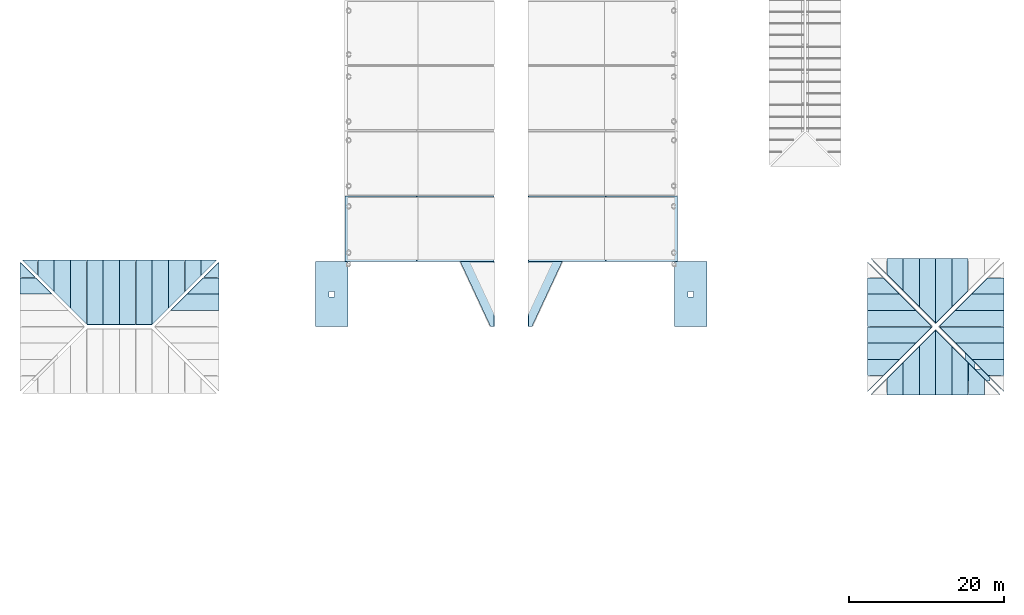
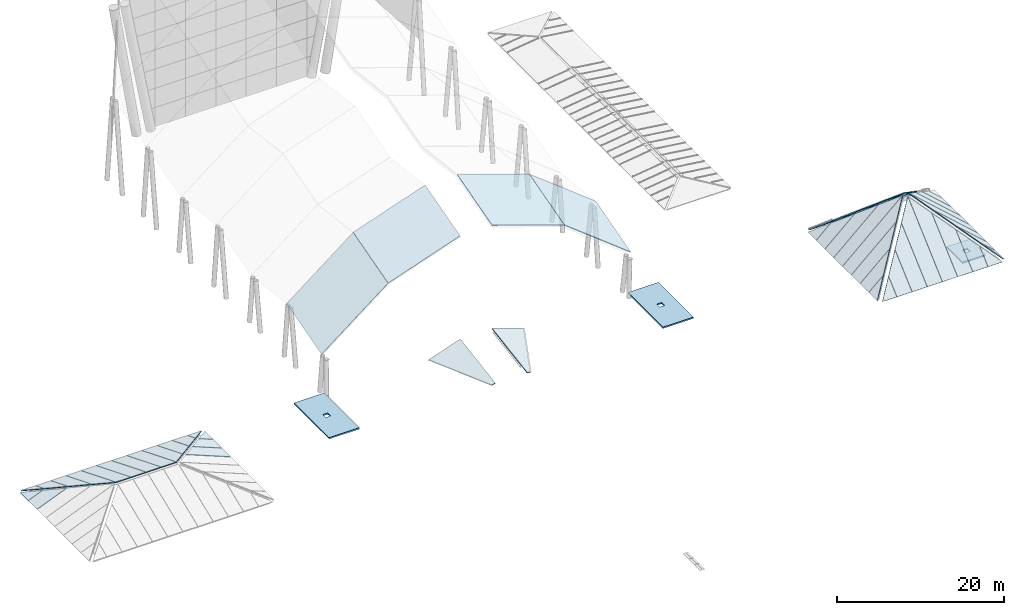
# One storey, part 2 of 8: 55 slabs.
"""IFC4 building model written with IfcOpenShell, lengths in metres."""

from ifc_helpers import new_model, si_unit, direction, frame, origin, place, context, subcontext, project, spatial, polyline, outline, extrude, material, layer, layer_set, type_object, element, save


model = new_model("IFC4")

# Units and contexts
model_context = context("Model", 3, precision=1e-05, world=origin(), true_north=direction((0.0, 1.0)))
body_context = subcontext(model_context, "Body", "Model", "MODEL_VIEW")
ifc_project = project(units=[si_unit("LENGTHUNIT", "METRE"), si_unit("AREAUNIT", "SQUARE_METRE"), si_unit("VOLUMEUNIT", "CUBIC_METRE"), si_unit("PLANEANGLEUNIT", "RADIAN"), si_unit("MASSUNIT", "GRAM", prefix="KILO")], contexts=[model_context])

# Site, building, storey
site_placement = place(None, origin())
site = spatial("IfcSite", under=ifc_project, at=site_placement, CompositionType="ELEMENT")
building_placement = place(site_placement, origin())
building = spatial("IfcBuilding", under=site, at=building_placement, Name="Sava Quay Ferry Terminal", CompositionType="ELEMENT")
storey_placement = place(building_placement, frame((0.0, 0.0, 18.0)))
storey = spatial("IfcBuildingStorey", under=building, at=storey_placement, Name="ROOF", CompositionType="ELEMENT", Elevation=18.0)

# Slabs
ifc_material_1 = material(Name="Concrete C35/45", Category="concrete")
ifc_layer_1 = layer(ifc_material_1, 0.199951171875)
ifc_layer_set_1 = layer_set([ifc_layer_1], Name="Concrete C35/45")
slab_type_1 = type_object("IfcSlabType", Name="RC core roof slab 200", PredefinedType="ROOF", material=ifc_layer_set_1)
slab_1_placement = place(storey_placement, origin())
element("IfcSlab", 1, at=slab_1_placement, inside=storey, type_object=slab_type_1, Name="Core roof slab ST-P1", PredefinedType="ROOF", context=body_context, shape_type="SweptSolid", body=[
    extrude(outline(polyline([(84.0, 42.0), (88.199951171875, 42.0), (88.199951171875, 50.39990234375), (84.0, 50.39990234375), (84.0, 42.0)]), holes=[polyline([(85.75, 45.85009765625), (86.449951171875, 45.85009765625), (86.449951171875, 46.550048828125), (85.75, 46.550048828125), (85.75, 45.85009765625)])]), origin(), (0.0, 0.0, 1.0), 0.199951171875),
])
slab_2_placement = place(storey_placement, origin())
element("IfcSlab", 2, at=slab_2_placement, inside=storey, type_object=slab_type_1, Name="Core roof slab ST-W2", PredefinedType="ROOF", context=body_context, shape_type="SweptSolid", body=[
    extrude(outline(polyline([(37.800048828125, 42.0), (42.0, 42.0), (42.0, 50.39990234375), (37.800048828125, 50.39990234375), (37.800048828125, 42.0)]), holes=[polyline([(39.550048828125, 45.85009765625), (40.25, 45.85009765625), (40.25, 46.550048828125), (39.550048828125, 46.550048828125), (39.550048828125, 45.85009765625)])]), origin(), (0.0, 0.0, 1.0), 0.199951171875),
])
slab_3_placement = place(storey_placement, frame((0.0, 0.0, 0.6298828125)))
element("IfcSlab", 3, at=slab_3_placement, inside=storey, type_object=slab_type_1, Name="Core roof slab LF-P2", PredefinedType="ROOF", context=body_context, shape_type="SweptSolid", body=[
    extrude(outline(polyline([(121.39990234375, 35.0), (124.60009765625, 35.0), (124.60009765625, 38.800048828125), (121.39990234375, 38.800048828125), (121.39990234375, 35.0)]), holes=[polyline([(122.64990234375, 36.550048828125), (123.35009765625, 36.550048828125), (123.35009765625, 37.25), (122.64990234375, 37.25), (122.64990234375, 36.550048828125)])]), origin(), (0.0, 0.0, 1.0), 0.2001953125),
])
ifc_material_2 = material(Name="Cross laminated timber C24", Category="wood")
ifc_layer_2 = layer(ifc_material_2, 0.10009765625)
ifc_layer_set_2 = layer_set([ifc_layer_2], Name="Cross laminated timber C24")
slab_type_2 = type_object("IfcSlabType", Name="Roof deck CLT 100", PredefinedType="ROOF", material=ifc_layer_set_2)
slab_4_placement = place(storey_placement, frame((41.605224609375, 50.409912109375, 5.965087890625), z_axis=(-0.601150353971, -0.215886656224, 0.769422643016), x_axis=(0.0, 0.962818218662, 0.270150102373)))
element("IfcSlab", 4, at=slab_4_placement, inside=storey, type_object=slab_type_2, Name="Departure hall roof deck bay 1 facet 1", PredefinedType="ROOF", context=body_context, shape_type="SweptSolid", body=[
    extrude(outline(polyline([(0.0, 0.0), (8.703747800667596, 2.220446049250313e-16), (10.645979298388825, -11.514817225413456), (1.9422314977212278, -11.514817225413456), (0.0, 0.0)])), origin(), (0.0, 0.0, -1.0), 0.10009765625),
])
slab_5_placement = place(storey_placement, frame((50.824462890625, 50.409912109375, 13.163818359375), z_axis=(-0.314682686698, -0.256437987949, 0.913900631923), x_axis=(-4.03344e-06, 0.962814931852, 0.2701618163)))
element("IfcSlab", 5, at=slab_5_placement, inside=storey, type_object=slab_type_2, Name="Departure hall roof deck bay 1 facet 2", PredefinedType="ROOF", context=body_context, shape_type="SweptSolid", body=[
    extrude(outline(polyline([(0.0, 0.0), (8.703747799952637, 1.1102230246251565e-16), (9.630080366844913, -10.491022852166482), (0.926266609417592, -10.490948881896982), (0.0, 0.0)])), origin(), (0.0, 0.0, -1.0), 0.10009765625),
])
slab_6_placement = place(storey_placement, frame((65.217529296875, 50.409912109375, 16.592529296875), z_axis=(0.314682686698, -0.256437987949, 0.913900631923), x_axis=(-4.033409e-06, 0.962814209338, 0.270164391216)))
element("IfcSlab", 6, at=slab_6_placement, inside=storey, type_object=slab_type_2, Name="Departure hall roof deck bay 1 facet 4", PredefinedType="ROOF", context=body_context, shape_type="SweptSolid", body=[
    extrude(outline(polyline([(0.0, 0.0), (8.703813757741642, 1.1102230246251565e-16), (7.777392031830329, -10.491014979253631), (-0.9263557678079903, -10.49094100954468), (0.0, 0.0)])), origin(), (0.0, 0.0, -1.0), 0.10009765625),
])
slab_7_placement = place(storey_placement, frame((75.19287109375, 50.409912109375, 13.154541015625), z_axis=(0.601150353971, -0.215886656224, 0.769422643016), x_axis=(0.0, 0.962818218662, 0.270150102373)))
element("IfcSlab", 7, at=slab_7_placement, inside=storey, type_object=slab_type_2, Name="Departure hall roof deck bay 1 facet 5", PredefinedType="ROOF", context=body_context, shape_type="SweptSolid", body=[
    extrude(outline(polyline([(0.0, 0.0), (8.703747800667596, -2.220446049250313e-16), (6.761516302946369, -11.514817225413456), (-1.9422314977212278, -11.514817225413456), (0.0, 0.0)])), origin(), (0.0, 0.0, -1.0), 0.10009765625),
])
slab_8_placement = place(storey_placement, frame((60.79150390625, 50.389892578125, 1.498779296875), z_axis=(-0.321877578864, -0.15002614396, 0.934819223355), x_axis=(-3.904908e-06, -0.987365326296, -0.158460444314)))
element("IfcSlab", 8, at=slab_8_placement, inside=storey, type_object=slab_type_2, Name="Arrivals hall roof deck bay 2 facet 2 (upper part)", PredefinedType="ROOF", context=body_context, shape_type="SweptSolid", body=[
    extrude(outline(polyline([(0.0, 0.0), (8.487130382696858, 0.0), (8.511504706379421, -0.47211351680272023), (0.23751422957464377, -4.59722988890894), (0.0, 0.0)])), origin(), (0.0, 0.0, -1.0), 0.10009765625),
])
slab_9_placement = place(storey_placement, frame((65.20849609375, 50.389892578125, 1.498779296875), z_axis=(0.321877578864, -0.15002614396, 0.934819223355), x_axis=(0.94552043148, -3.35562e-06, -0.32556276452)))
element("IfcSlab", 9, at=slab_9_placement, inside=storey, type_object=slab_type_2, Name="Arrivals hall roof deck bay 2 facet 4 (upper part)", PredefinedType="ROOF", context=body_context, shape_type="SweptSolid", body=[
    extrude(outline(polyline([(0.0, 0.0), (4.603361343706155, 2.7755575615628914e-17), (0.9106427977876396, -8.475808706802223), (0.4379005000122082, -8.475825935269386), (0.0, 0.0)])), origin(), (0.0, 0.0, -1.0), 0.10009765625),
])
slab_10_placement = place(storey_placement, frame((21.282470703125, 46.18994140625, 2.12841796875), z_axis=(0.37461827703, -2.3309197e-05, 0.927179133702), x_axis=(0.927179133953, -2.56e-10, -0.374618277132)))
element("IfcSlab", 10, at=slab_10_placement, inside=storey, type_object=slab_type_2, Name="West pavilion roof deck WH-E", PredefinedType="ROOF", context=body_context, shape_type="SweptSolid", body=[
    extrude(outline(polyline([(0.0, 0.0), (4.417136878532633, 0.0), (4.417136879064705, -2.0798339838099937), (-2.2434087717266324, -2.0798339866439384), (0.0, 0.0)])), origin(), (0.0, 0.0, -1.0), 0.10009765625),
])
slab_11_placement = place(storey_placement, frame((23.38232421875, 48.2900390625, 1.27978515625), z_axis=(0.374609151986, 5.8396715e-05, 0.927182818994), x_axis=(0.927182820575, -3.296e-09, -0.374609152625)))
element("IfcSlab", 11, at=slab_11_placement, inside=storey, type_object=slab_type_2, Name="West pavilion roof deck WH-E", PredefinedType="ROOF", context=body_context, shape_type="SweptSolid", body=[
    extrude(outline(polyline([(0.0, 0.0), (2.152283153649545, 0.0), (2.152283160505007, -2.0800781214532833), (-2.243273860568138, -2.0800781430334676), (0.0, 0.0)])), origin(), (0.0, 0.0, -1.0), 0.10009765625),
])
slab_12_placement = place(storey_placement, frame((25.3779296875, 50.285400390625, 0.4736328125), z_axis=(0.37456914041, 0.0, 0.927198985683), x_axis=(0.0, -1.0, 0.0)))
element("IfcSlab", 12, at=slab_12_placement, inside=storey, type_object=slab_type_2, Name="West pavilion roof deck WH-E", PredefinedType="ROOF", context=body_context, shape_type="SweptSolid", body=[
    extrude(outline(polyline([(0.0, 0.0), (1.975341796875, 0.0), (1.975341796875, -2.130703298865035), (0.0, 0.0)])), origin(), (0.0, 0.0, -1.0), 0.10009765625),
])
slab_13_placement = place(storey_placement, frame((23.110107421875, 48.602294921875, 1.271728515625), z_axis=(0.0, 0.37456914041, 0.927198985683), x_axis=(0.0, 0.927198985683, -0.37456914041)))
element("IfcSlab", 13, at=slab_13_placement, inside=storey, type_object=slab_type_2, Name="West pavilion roof deck WH-N", PredefinedType="ROOF", context=body_context, shape_type="SweptSolid", body=[
    extrude(outline(polyline([(0.0, 0.0), (2.130703298865035, 0.0), (2.130703298865035, -1.975341796875), (0.0, 0.0)])), origin(), (0.0, 0.0, -1.0), 0.10009765625),
])
slab_14_placement = place(storey_placement, frame((21.010009765625, 46.50244140625, 2.120361328125), z_axis=(5.8396715e-05, 0.374609151986, 0.927182818994), x_axis=(1.614e-09, 0.927182820575, -0.374609152625)))
element("IfcSlab", 14, at=slab_14_placement, inside=storey, type_object=slab_type_2, Name="West pavilion roof deck WH-N", PredefinedType="ROOF", context=body_context, shape_type="SweptSolid", body=[
    extrude(outline(polyline([(0.0, 0.0), (4.395557021073145, 0.0), (4.39555702442992, -2.0800781214532833), (2.243273870780375, -2.0800781320200143), (0.0, 0.0)])), origin(), (0.0, 0.0, -1.0), 0.10009765625),
])
slab_15_placement = place(storey_placement, frame((18.909912109375, 44.40234375, 2.96875), z_axis=(-2.3306461e-05, 0.37461827703, 0.927179133702), x_axis=(1.7e-10, 0.927179133953, -0.374618277132)))
element("IfcSlab", 15, at=slab_15_placement, inside=storey, type_object=slab_type_2, Name="West pavilion roof deck WH-N", PredefinedType="ROOF", context=body_context, shape_type="SweptSolid", body=[
    extrude(outline(polyline([(0.0, 0.0), (6.660545650791338, 6.776263578034403e-21), (6.660545651144197, -2.08007812443506), (2.2434087726115655, -2.080078126314253), (0.0, 0.0)])), origin(), (0.0, 0.0, -1.0), 0.10009765625),
])
slab_16_placement = place(storey_placement, frame((16.81005859375, 42.302490234375, 3.817138671875), z_axis=(4.272837e-06, 0.374608657813, 0.927183020484), x_axis=(4e-12, 0.927183020492, -0.374608657816)))
element("IfcSlab", 16, at=slab_16_placement, inside=storey, type_object=slab_type_2, Name="West pavilion roof deck WH-N", PredefinedType="ROOF", context=body_context, shape_type="SweptSolid", body=[
    extrude(outline(polyline([(0.0, 0.0), (8.925307917821877, -1.6940658945086007e-21), (8.925307917830725, -2.079833984356014), (2.2431824101106304, -2.079833984422414), (0.0, 0.0)])), origin(), (0.0, 0.0, -1.0), 0.10009765625),
])
slab_17_placement = place(storey_placement, frame((16.778076171875, 42.2705078125, 3.830078125), z_axis=(1.1014548e-05, 0.374611255629, 0.927181970831), x_axis=(-0.999999999939, 4.126174e-06, 1.021249e-05)))
element("IfcSlab", 17, at=slab_17_placement, inside=storey, type_object=slab_type_2, Name="West pavilion roof deck WH-N", PredefinedType="ROOF", context=body_context, shape_type="SweptSolid", body=[
    extrude(outline(polyline([(0.0, 0.0), (2.068115234249548, 0.0), (2.0681152342480966, -8.959808707542166), (-0.011962890625725671, -8.959808707542166), (-0.011962891128985562, -0.012920933028937369), (0.0, 0.0)])), origin(), (0.0, 0.0, -1.0), 0.10009765625),
])
slab_18_placement = place(storey_placement, frame((12.610107421875, 42.2705078125, 3.830078125), z_axis=(0.0, 0.374611269287, 0.927181965379), x_axis=(0.0, 0.927181965379, -0.374611269287)))
element("IfcSlab", 18, at=slab_18_placement, inside=storey, type_object=slab_type_2, Name="West pavilion roof deck WH-N", PredefinedType="ROOF", context=body_context, shape_type="SweptSolid", body=[
    extrude(outline(polyline([(0.0, 0.0), (8.959808707542168, 0.0), (8.959808707542168, -2.079833984375), (0.0, -2.079833984375), (0.0, 0.0)])), origin(), (0.0, 0.0, -1.0), 0.10009765625),
])
slab_19_placement = place(storey_placement, frame((10.510009765625, 42.2705078125, 3.830078125), z_axis=(0.0, 0.374611269287, 0.927181965379), x_axis=(0.0, 0.927181965379, -0.374611269287)))
element("IfcSlab", 19, at=slab_19_placement, inside=storey, type_object=slab_type_2, Name="West pavilion roof deck WH-N", PredefinedType="ROOF", context=body_context, shape_type="SweptSolid", body=[
    extrude(outline(polyline([(0.0, 0.0), (8.959808707542168, 0.0), (8.959808707542168, -2.080078125), (0.0, -2.080078125), (0.0, 0.0)])), origin(), (0.0, 0.0, -1.0), 0.10009765625),
])
slab_20_placement = place(storey_placement, frame((8.421875, 42.2705078125, 3.830078125), z_axis=(-1.1014548e-05, 0.374611255629, 0.927181970831), x_axis=(-0.679379419167, 0.680351427401, -0.274891869733)))
element("IfcSlab", 20, at=slab_20_placement, inside=storey, type_object=slab_type_2, Name="West pavilion roof deck WH-N", PredefinedType="ROOF", context=body_context, shape_type="SweptSolid", body=[
    extrude(outline(polyline([(0.0, 0.0), (0.017608556854616056, -2.6020852139652106e-18), (6.582719979689848, -6.078331420340012), (5.16955771130516, -7.604666052323588), (-1.405034926700316, -1.5175564163770978), (0.0, 0.0)])), origin(), (0.0, 0.0, -1.0), 0.10009765625),
])
slab_21_placement = place(storey_placement, frame((6.31005859375, 44.38232421875, 2.976806640625), z_axis=(-4.272837e-06, 0.374608657813, 0.927183020484), x_axis=(6e-12, 0.927183020492, -0.374608657816)))
element("IfcSlab", 21, at=slab_21_placement, inside=storey, type_object=slab_type_2, Name="West pavilion roof deck WH-N", PredefinedType="ROOF", context=body_context, shape_type="SweptSolid", body=[
    extrude(outline(polyline([(0.0, 0.0), (6.6821255077200945, 1.6940658945086007e-21), (6.6821255077319135, -2.079833984356014), (-2.243182410089963, -2.0798339844447042), (0.0, 0.0)])), origin(), (0.0, 0.0, -1.0), 0.10009765625),
])
slab_22_placement = place(storey_placement, frame((4.2099609375, 46.482421875, 2.12841796875), z_axis=(2.3306461e-05, 0.37461827703, 0.927179133702), x_axis=(2.56e-10, 0.927179133953, -0.374618277132)))
element("IfcSlab", 22, at=slab_22_placement, inside=storey, type_object=slab_type_2, Name="West pavilion roof deck WH-N", PredefinedType="ROOF", context=body_context, shape_type="SweptSolid", body=[
    extrude(outline(polyline([(0.0, 0.0), (4.417136878532633, 1.3552527156068805e-20), (4.417136879064706, -2.08007812443506), (-2.2434087717266324, -2.080078127268672), (0.0, 0.0)])), origin(), (0.0, 0.0, -1.0), 0.10009765625),
])
slab_23_placement = place(storey_placement, frame((2.110107421875, 48.582275390625, 1.27978515625), z_axis=(-5.840357e-05, 0.374609151986, 0.927182818994), x_axis=(3.296e-09, 0.927182820575, -0.374609152625)))
element("IfcSlab", 23, at=slab_23_placement, inside=storey, type_object=slab_type_2, Name="West pavilion roof deck WH-N", PredefinedType="ROOF", context=body_context, shape_type="SweptSolid", body=[
    extrude(outline(polyline([(0.0, 0.0), (2.152283153649545, 0.0), (2.152283160505007, -2.079833980827867), (-2.243273860568138, -2.0798340024105846), (0.0, 0.0)])), origin(), (0.0, 0.0, -1.0), 0.10009765625),
])
slab_24_placement = place(storey_placement, frame((0.114501953125, 50.577880859375, 0.4736328125), z_axis=(0.0, 0.37456914041, 0.927198985683), x_axis=(1.0, 0.0, 0.0)))
element("IfcSlab", 24, at=slab_24_placement, inside=storey, type_object=slab_type_2, Name="West pavilion roof deck WH-N", PredefinedType="ROOF", context=body_context, shape_type="SweptSolid", body=[
    extrude(outline(polyline([(0.0, 0.0), (1.9755859375, 0.0), (1.9755859375, -2.130703298865035), (0.0, 0.0)])), origin(), (0.0, 0.0, -1.0), 0.10009765625),
])
slab_25_placement = place(storey_placement, frame((1.797607421875, 48.31005859375, 1.271728515625), z_axis=(-0.374608938698, 0.0, 0.927182907008), x_axis=(-0.927182907008, 0.0, -0.374608938698)))
element("IfcSlab", 25, at=slab_25_placement, inside=storey, type_object=slab_type_2, Name="West pavilion roof deck WH-W", PredefinedType="ROOF", context=body_context, shape_type="SweptSolid", body=[
    extrude(outline(polyline([(0.0, 0.0), (2.130476933887796, 0.0), (2.130476933887796, -1.975341796875), (0.0, 0.0)])), origin(), (0.0, 0.0, -1.0), 0.10009765625),
])
slab_26_placement = place(storey_placement, frame((3.897705078125, 46.2099609375, 2.120361328125), z_axis=(-0.374622103356, 2.887989e-05, 0.927177587544), x_axis=(-0.92717758793, 3.95e-10, -0.374622103512)))
element("IfcSlab", 26, at=slab_26_placement, inside=storey, type_object=slab_type_2, Name="West pavilion roof deck WH-W", PredefinedType="ROOF", context=body_context, shape_type="SweptSolid", body=[
    extrude(outline(polyline([(0.0, 0.0), (4.3955570223410385, -6.776263578034403e-21), (4.395557023162025, -2.080078124132557), (2.24350023313494, -2.0800781267168387), (0.0, 0.0)])), origin(), (0.0, 0.0, -1.0), 0.10009765625),
])
slab_27_placement = place(storey_placement, frame((111.2900390625, 35.227294921875, 2.17041015625), z_axis=(0.0, -0.669085576246, 0.743185368303), x_axis=(0.0, -0.743185368303, -0.669085576246)))
element("IfcSlab", 27, at=slab_27_placement, inside=storey, type_object=slab_type_2, Name="East pavilion roof deck PH-S", PredefinedType="ROOF", context=body_context, shape_type="SweptSolid", body=[
    extrude(outline(polyline([(0.0, 0.0), (2.67863542684667, 0.0), (2.67863542684667, -1.990478515625), (0.0, 0.0)])), origin(), (0.0, 0.0, -1.0), 0.10009765625),
])
slab_28_placement = place(storey_placement, frame((113.389892578125, 37.3271484375, 4.061279296875), z_axis=(-3.4805553e-05, -0.669114224593, 0.743159574544), x_axis=(-4.58e-10, -0.743159574994, -0.669114224998)))
element("IfcSlab", 28, at=slab_28_placement, inside=storey, type_object=slab_type_2, Name="East pavilion roof deck PH-S", PredefinedType="ROOF", context=body_context, shape_type="SweptSolid", body=[
    extrude(outline(polyline([(0.0, 0.0), (5.504369110679933, -1.3552527156068805e-20), (5.504369111631956, -2.0798339831152166), (2.798767491023776, -2.079833986873243), (0.0, 0.0)])), origin(), (0.0, 0.0, -1.0), 0.10009765625),
])
slab_29_placement = place(storey_placement, frame((115.489990234375, 39.42724609375, 5.9521484375), z_axis=(1.358783e-05, -0.669124300879, 0.743150502784), x_axis=(-4.6e-11, -0.743150502853, -0.669124300941)))
element("IfcSlab", 29, at=slab_29_placement, inside=storey, type_object=slab_type_2, Name="East pavilion roof deck PH-S", PredefinedType="ROOF", context=body_context, shape_type="SweptSolid", body=[
    extrude(outline(polyline([(0.0, 0.0), (8.330284232329062, 6.776263578034403e-21), (8.330284232424958, -2.080078124807978), (2.798948925101608, -2.080078125447027), (0.0, 0.0)])), origin(), (0.0, 0.0, -1.0), 0.10009765625),
])
slab_30_placement = place(storey_placement, frame((117.590087890625, 41.52734375, 7.843017578125), z_axis=(1.1793319e-05, -0.669122318736, 0.743152287509), x_axis=(-2.6e-11, -0.743152287561, -0.669122318783)))
element("IfcSlab", 30, at=slab_30_placement, inside=storey, type_object=slab_type_2, Name="East pavilion roof deck PH-S", PredefinedType="ROOF", context=body_context, shape_type="SweptSolid", body=[
    extrude(outline(polyline([(0.0, 0.0), (11.156199353607747, 0.0), (11.156199353661687, -2.080078124855349), (2.7989489252004693, -2.0800781253613714), (0.0, 0.0)])), origin(), (0.0, 0.0, -1.0), 0.10009765625),
])
slab_31_placement = place(storey_placement, frame((119.68994140625, 39.447265625, 5.97021484375), z_axis=(-1.1794703e-05, -0.669122318736, 0.743152287509), x_axis=(-3.5e-11, -0.743152287561, -0.669122318783)))
element("IfcSlab", 31, at=slab_31_placement, inside=storey, type_object=slab_type_2, Name="East pavilion roof deck PH-S", PredefinedType="ROOF", context=body_context, shape_type="SweptSolid", body=[
    extrude(outline(polyline([(0.0, 0.0), (8.357250428461219, 0.0), (8.357250428533225, -2.079833984230332), (-2.798948925074523, -2.079833984905907), (0.0, 0.0)])), origin(), (0.0, 0.0, -1.0), 0.10009765625),
])
slab_32_placement = place(storey_placement, frame((121.7900390625, 37.34716796875, 4.079345703125), z_axis=(-1.358783e-05, -0.669124300879, 0.743150502784), x_axis=(-6.9e-11, -0.743150502853, -0.669124300941)))
element("IfcSlab", 32, at=slab_32_placement, inside=storey, type_object=slab_type_2, Name="East pavilion roof deck PH-S", PredefinedType="ROOF", context=body_context, shape_type="SweptSolid", body=[
    extrude(outline(polyline([(0.0, 0.0), (5.531335307323349, 0.0), (5.531335307467771, -2.080078124807978), (-2.7989489248612918, -2.080078125770396), (0.0, 0.0)])), origin(), (0.0, 0.0, -1.0), 0.10009765625),
])
slab_33_placement = place(storey_placement, frame((123.889892578125, 35.247314453125, 2.1884765625), z_axis=(3.4805553e-05, -0.669114224593, 0.743159574544), x_axis=(-9.31e-10, -0.743159574994, -0.669114224998)))
element("IfcSlab", 33, at=slab_33_placement, inside=storey, type_object=slab_type_2, Name="East pavilion roof deck PH-S", PredefinedType="ROOF", context=body_context, shape_type="SweptSolid", body=[
    extrude(outline(polyline([(0.0, 0.0), (2.7056016206081797, -1.3552527156068805e-20), (2.7056016225450055, -2.079833983115217), (-2.7987674881349287, -2.079833990760675), (0.0, 0.0)])), origin(), (0.0, 0.0, -1.0), 0.10009765625),
])
slab_34_placement = place(storey_placement, frame((125.900634765625, 33.236572265625, 0.378173828125), z_axis=(0.0, -0.669085576246, 0.743185368303), x_axis=(-1.0, 0.0, 0.0)))
element("IfcSlab", 34, at=slab_34_placement, inside=storey, type_object=slab_type_2, Name="East pavilion roof deck PH-S", PredefinedType="ROOF", context=body_context, shape_type="SweptSolid", body=[
    extrude(outline(polyline([(0.0, 0.0), (1.99072265625, 0.0), (1.99072265625, -2.678635426846669), (0.0, 0.0)])), origin(), (0.0, 0.0, -1.0), 0.10009765625),
])
slab_35_placement = place(storey_placement, frame((124.372802734375, 35.68994140625, 2.17041015625), z_axis=(0.669130899675, 0.0, 0.743144561374), x_axis=(0.743144561374, 0.0, -0.669130899675)))
element("IfcSlab", 35, at=slab_35_placement, inside=storey, type_object=slab_type_2, Name="East pavilion roof deck PH-E", PredefinedType="ROOF", context=body_context, shape_type="SweptSolid", body=[
    extrude(outline(polyline([(0.0, 0.0), (2.6784539900875064, 0.0), (2.6784539900875064, -1.990478515625), (0.0, 0.0)])), origin(), (0.0, 0.0, -1.0), 0.10009765625),
])
slab_36_placement = place(storey_placement, frame((122.272705078125, 37.7900390625, 4.061279296875), z_axis=(0.66912901211, 1.7853118e-05, 0.743146260728), x_axis=(0.743146260846, -1.2e-10, -0.669129012217)))
element("IfcSlab", 36, at=slab_36_placement, inside=storey, type_object=slab_type_2, Name="East pavilion roof deck PH-E", PredefinedType="ROOF", context=body_context, shape_type="SweptSolid", body=[
    extrude(outline(polyline([(0.0, 0.0), (5.504369111030673, -6.776263578034403e-21), (5.504369111281216, -2.0800781246685043), (2.7989489248416457, -2.0800781256573586), (0.0, 0.0)])), origin(), (0.0, 0.0, -1.0), 0.10009765625),
])
slab_37_placement = place(storey_placement, frame((120.1728515625, 39.889892578125, 5.9521484375), z_axis=(0.669133058998, -1.7753525e-05, 0.743142616891), x_axis=(0.743142617009, -7.9e-11, -0.669133059104)))
element("IfcSlab", 37, at=slab_37_placement, inside=storey, type_object=slab_type_2, Name="East pavilion roof deck PH-E", PredefinedType="ROOF", context=body_context, shape_type="SweptSolid", body=[
    extrude(outline(polyline([(0.0, 0.0), (8.330102800114481, 0.0), (8.330102800278155, -2.0798339840472306), (2.7987674930058386, -2.079833985138057), (0.0, 0.0)])), origin(), (0.0, 0.0, -1.0), 0.10009765625),
])
slab_38_placement = place(storey_placement, frame((118.07275390625, 41.989990234375, 7.843017578125), z_axis=(0.669134761577, 2.3058415e-05, 0.743141083724), x_axis=(0.743141083921, -9.9e-11, -0.669134761755)))
element("IfcSlab", 38, at=slab_38_placement, inside=storey, type_object=slab_type_2, Name="East pavilion roof deck PH-E", PredefinedType="ROOF", context=body_context, shape_type="SweptSolid", body=[
    extrude(outline(polyline([(0.0, 0.0), (11.156017920704503, 2.710505431213761e-20), (11.156017920910713, -2.0800781244470214), (2.7989489241389203, -2.0800781263814616), (0.0, 0.0)])), origin(), (0.0, 0.0, -1.0), 0.10009765625),
])
slab_39_placement = place(storey_placement, frame((120.15283203125, 44.090087890625, 5.97021484375), z_axis=(0.669134761577, -2.3058415e-05, 0.743141083724), x_axis=(0.743141083921, -1.32e-10, -0.669134761755)))
element("IfcSlab", 39, at=slab_39_placement, inside=storey, type_object=slab_type_2, Name="East pavilion roof deck PH-E", PredefinedType="ROOF", context=body_context, shape_type="SweptSolid", body=[
    extrude(outline(polyline([(0.0, 0.0), (8.357068996771792, 1.3552527156068805e-20), (8.357068997047065, -2.080078124447021), (-2.798948923657437, -2.080078127029344), (0.0, 0.0)])), origin(), (0.0, 0.0, -1.0), 0.10009765625),
])
slab_40_placement = place(storey_placement, frame((122.252685546875, 46.18994140625, 4.079345703125), z_axis=(0.669133058998, 1.7753525e-05, 0.743142616891), x_axis=(0.743142617009, -1.19e-10, -0.669133059104)))
element("IfcSlab", 40, at=slab_40_placement, inside=storey, type_object=slab_type_2, Name="East pavilion roof deck PH-E", PredefinedType="ROOF", context=body_context, shape_type="SweptSolid", body=[
    extrude(outline(polyline([(0.0, 0.0), (5.531335307272315, 0.0), (5.531335307518804, -2.0798339840472306), (-2.798767492595678, -2.0798339856899988), (0.0, 0.0)])), origin(), (0.0, 0.0, -1.0), 0.10009765625),
])
slab_41_placement = place(storey_placement, frame((124.352783203125, 48.2900390625, 2.1884765625), z_axis=(0.66912901211, -1.7853118e-05, 0.743146260728), x_axis=(0.743146260846, -2.45e-10, -0.669129012217)))
element("IfcSlab", 41, at=slab_41_placement, inside=storey, type_object=slab_type_2, Name="East pavilion roof deck PH-E", PredefinedType="ROOF", context=body_context, shape_type="SweptSolid", body=[
    extrude(outline(polyline([(0.0, 0.0), (2.7054201864395697, -3.3881317890172014e-21), (2.705420186949315, -2.0800781246685043), (-2.798948924081359, -2.0800781266803985), (0.0, 0.0)])), origin(), (0.0, 0.0, -1.0), 0.10009765625),
])
slab_42_placement = place(storey_placement, frame((119.7099609375, 44.57275390625, 5.9521484375), z_axis=(-1.358783e-05, 0.669124300879, 0.743150502784), x_axis=(4.6e-11, 0.743150502853, -0.669124300941)))
element("IfcSlab", 42, at=slab_42_placement, inside=storey, type_object=slab_type_2, Name="East pavilion roof deck PH-N", PredefinedType="ROOF", context=body_context, shape_type="SweptSolid", body=[
    extrude(outline(polyline([(0.0, 0.0), (8.330284232329062, 6.776263578034403e-21), (8.330284232424958, -2.080078124807978), (2.798948925101608, -2.080078125447027), (0.0, 0.0)])), origin(), (0.0, 0.0, -1.0), 0.10009765625),
])
slab_43_placement = place(storey_placement, frame((117.610107421875, 42.47265625, 7.843017578125), z_axis=(-1.1794703e-05, 0.669122318736, 0.743152287509), x_axis=(2.6e-11, 0.743152287561, -0.669122318783)))
element("IfcSlab", 43, at=slab_43_placement, inside=storey, type_object=slab_type_2, Name="East pavilion roof deck PH-N", PredefinedType="ROOF", context=body_context, shape_type="SweptSolid", body=[
    extrude(outline(polyline([(0.0, 0.0), (11.156199353607747, -1.3552527156068805e-20), (11.156199353661687, -2.079833984230332), (2.7989489252004693, -2.0798339847364136), (0.0, 0.0)])), origin(), (0.0, 0.0, -1.0), 0.10009765625),
])
slab_44_placement = place(storey_placement, frame((115.510009765625, 44.552734375, 5.97021484375), z_axis=(1.1793319e-05, 0.669122318736, 0.743152287509), x_axis=(3.5e-11, 0.743152287561, -0.669122318783)))
element("IfcSlab", 44, at=slab_44_placement, inside=storey, type_object=slab_type_2, Name="East pavilion roof deck PH-N", PredefinedType="ROOF", context=body_context, shape_type="SweptSolid", body=[
    extrude(outline(polyline([(0.0, 0.0), (8.357250428461219, -6.776263578034403e-21), (8.357250428533225, -2.080078124855349), (-2.798948925074523, -2.0800781255308443), (0.0, 0.0)])), origin(), (0.0, 0.0, -1.0), 0.10009765625),
])
slab_45_placement = place(storey_placement, frame((113.409912109375, 46.65283203125, 4.079345703125), z_axis=(1.358783e-05, 0.669124300879, 0.743150502784), x_axis=(6.9e-11, 0.743150502853, -0.669124300941)))
element("IfcSlab", 45, at=slab_45_placement, inside=storey, type_object=slab_type_2, Name="East pavilion roof deck PH-N", PredefinedType="ROOF", context=body_context, shape_type="SweptSolid", body=[
    extrude(outline(polyline([(0.0, 0.0), (5.531335307323349, 0.0), (5.531335307467771, -2.080078124807978), (-2.7989489248612918, -2.080078125770396), (0.0, 0.0)])), origin(), (0.0, 0.0, -1.0), 0.10009765625),
])
slab_46_placement = place(storey_placement, frame((111.31005859375, 48.752685546875, 2.1884765625), z_axis=(-3.4805553e-05, 0.669114224593, 0.743159574544), x_axis=(9.31e-10, 0.743159574994, -0.669114224998)))
element("IfcSlab", 46, at=slab_46_placement, inside=storey, type_object=slab_type_2, Name="East pavilion roof deck PH-N", PredefinedType="ROOF", context=body_context, shape_type="SweptSolid", body=[
    extrude(outline(polyline([(0.0, 0.0), (2.7056016206081797, -1.3552527156068805e-20), (2.7056016225450055, -2.079833983115217), (-2.7987674881349287, -2.079833990760675), (0.0, 0.0)])), origin(), (0.0, 0.0, -1.0), 0.10009765625),
])
slab_47_placement = place(storey_placement, frame((109.299560546875, 50.763427734375, 0.378173828125), z_axis=(0.0, 0.669085576246, 0.743185368303), x_axis=(1.0, 0.0, 0.0)))
element("IfcSlab", 47, at=slab_47_placement, inside=storey, type_object=slab_type_2, Name="East pavilion roof deck PH-N", PredefinedType="ROOF", context=body_context, shape_type="SweptSolid", body=[
    extrude(outline(polyline([(0.0, 0.0), (1.990478515625, 0.0), (1.990478515625, -2.678635426846669), (0.0, 0.0)])), origin(), (0.0, 0.0, -1.0), 0.10009765625),
])
slab_48_placement = place(storey_placement, frame((110.8271484375, 48.31005859375, 2.17041015625), z_axis=(-0.669130899675, 0.0, 0.743144561374), x_axis=(-0.743144561374, 0.0, -0.669130899675)))
element("IfcSlab", 48, at=slab_48_placement, inside=storey, type_object=slab_type_2, Name="East pavilion roof deck PH-W", PredefinedType="ROOF", context=body_context, shape_type="SweptSolid", body=[
    extrude(outline(polyline([(0.0, 0.0), (2.6784539900875064, 0.0), (2.6784539900875064, -1.990478515625), (0.0, 0.0)])), origin(), (0.0, 0.0, -1.0), 0.10009765625),
])
slab_49_placement = place(storey_placement, frame((112.92724609375, 46.2099609375, 4.061279296875), z_axis=(-0.66912901211, -1.7853118e-05, 0.743146260728), x_axis=(-0.743146260846, 1.2e-10, -0.669129012217)))
element("IfcSlab", 49, at=slab_49_placement, inside=storey, type_object=slab_type_2, Name="East pavilion roof deck PH-W", PredefinedType="ROOF", context=body_context, shape_type="SweptSolid", body=[
    extrude(outline(polyline([(0.0, 0.0), (5.504369111030673, -6.776263578034403e-21), (5.504369111281216, -2.0800781246685043), (2.7989489248416457, -2.0800781256573586), (0.0, 0.0)])), origin(), (0.0, 0.0, -1.0), 0.10009765625),
])
slab_50_placement = place(storey_placement, frame((115.02734375, 44.110107421875, 5.9521484375), z_axis=(-0.669124300879, -1.3589425e-05, 0.743150502784), x_axis=(-0.743150502853, 4.6e-11, -0.669124300941)))
element("IfcSlab", 50, at=slab_50_placement, inside=storey, type_object=slab_type_2, Name="East pavilion roof deck PH-W", PredefinedType="ROOF", context=body_context, shape_type="SweptSolid", body=[
    extrude(outline(polyline([(0.0, 0.0), (8.330284232329063, 1.3552527156068805e-20), (8.330284232424958, -2.0798339841829563), (2.7989489251016084, -2.07983398482208), (0.0, 0.0)])), origin(), (0.0, 0.0, -1.0), 0.10009765625),
])
slab_51_placement = place(storey_placement, frame((117.127197265625, 42.010009765625, 7.843017578125), z_axis=(-0.669134761577, -2.3058415e-05, 0.743141083724), x_axis=(-0.743141083921, 9.9e-11, -0.669134761755)))
element("IfcSlab", 51, at=slab_51_placement, inside=storey, type_object=slab_type_2, Name="East pavilion roof deck PH-W", PredefinedType="ROOF", context=body_context, shape_type="SweptSolid", body=[
    extrude(outline(polyline([(0.0, 0.0), (11.156017920704503, 2.710505431213761e-20), (11.156017920910713, -2.0800781244470214), (2.7989489241389203, -2.0800781263814616), (0.0, 0.0)])), origin(), (0.0, 0.0, -1.0), 0.10009765625),
])
slab_52_placement = place(storey_placement, frame((115.047119140625, 39.909912109375, 5.97021484375), z_axis=(-0.669134761577, 2.3058415e-05, 0.743141083724), x_axis=(-0.743141083921, 1.32e-10, -0.669134761755)))
element("IfcSlab", 52, at=slab_52_placement, inside=storey, type_object=slab_type_2, Name="East pavilion roof deck PH-W", PredefinedType="ROOF", context=body_context, shape_type="SweptSolid", body=[
    extrude(outline(polyline([(0.0, 0.0), (8.357068996771792, 1.3552527156068805e-20), (8.357068997047065, -2.080078124447021), (-2.798948923657437, -2.080078127029344), (0.0, 0.0)])), origin(), (0.0, 0.0, -1.0), 0.10009765625),
])
slab_53_placement = place(storey_placement, frame((112.947265625, 37.81005859375, 4.079345703125), z_axis=(-0.669124300879, 1.3589425e-05, 0.743150502784), x_axis=(-0.743150502853, 6.9e-11, -0.669124300941)))
element("IfcSlab", 53, at=slab_53_placement, inside=storey, type_object=slab_type_2, Name="East pavilion roof deck PH-W", PredefinedType="ROOF", context=body_context, shape_type="SweptSolid", body=[
    extrude(outline(polyline([(0.0, 0.0), (5.531335307323349, 6.776263578034403e-21), (5.531335307467771, -2.0798339841829563), (-2.7989489248612918, -2.0798339851454877), (0.0, 0.0)])), origin(), (0.0, 0.0, -1.0), 0.10009765625),
])
slab_54_placement = place(storey_placement, frame((110.84716796875, 35.7099609375, 2.1884765625), z_axis=(-0.66912901211, 1.7853118e-05, 0.743146260728), x_axis=(-0.743146260846, 2.45e-10, -0.669129012217)))
element("IfcSlab", 54, at=slab_54_placement, inside=storey, type_object=slab_type_2, Name="East pavilion roof deck PH-W", PredefinedType="ROOF", context=body_context, shape_type="SweptSolid", body=[
    extrude(outline(polyline([(0.0, 0.0), (2.7054201864395697, -3.3881317890172014e-21), (2.705420186949315, -2.0800781246685043), (-2.798948924081359, -2.0800781266803985), (0.0, 0.0)])), origin(), (0.0, 0.0, -1.0), 0.10009765625),
])
slab_55_placement = place(storey_placement, frame((108.836669921875, 33.699462890625, 0.378173828125), z_axis=(-0.669130899675, 0.0, 0.743144561374), x_axis=(0.0, 1.0, 0.0)))
element("IfcSlab", 55, at=slab_55_placement, inside=storey, type_object=slab_type_2, Name="East pavilion roof deck PH-W", PredefinedType="ROOF", context=body_context, shape_type="SweptSolid", body=[
    extrude(outline(polyline([(0.0, 0.0), (1.990478515625, 0.0), (1.990478515625, -2.6784539900875064), (0.0, 0.0)])), origin(), (0.0, 0.0, -1.0), 0.10009765625),
])

save(model, "model.ifc")
